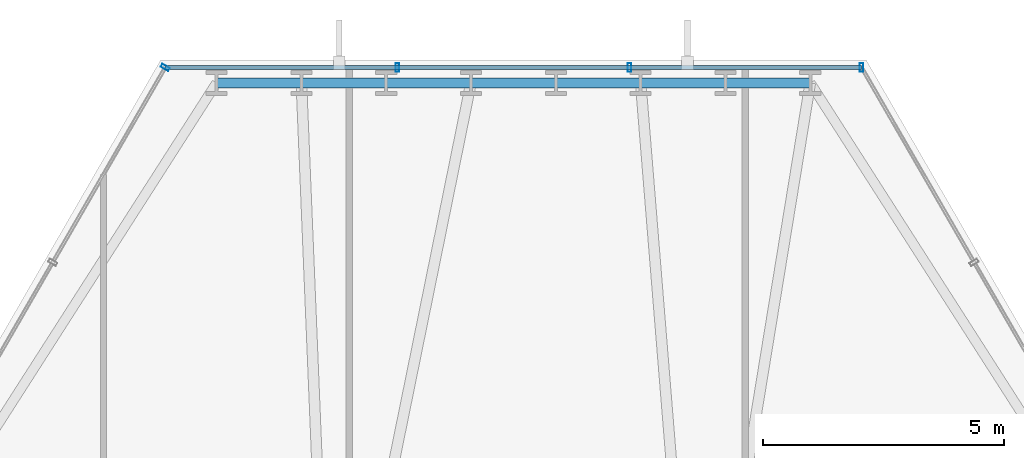
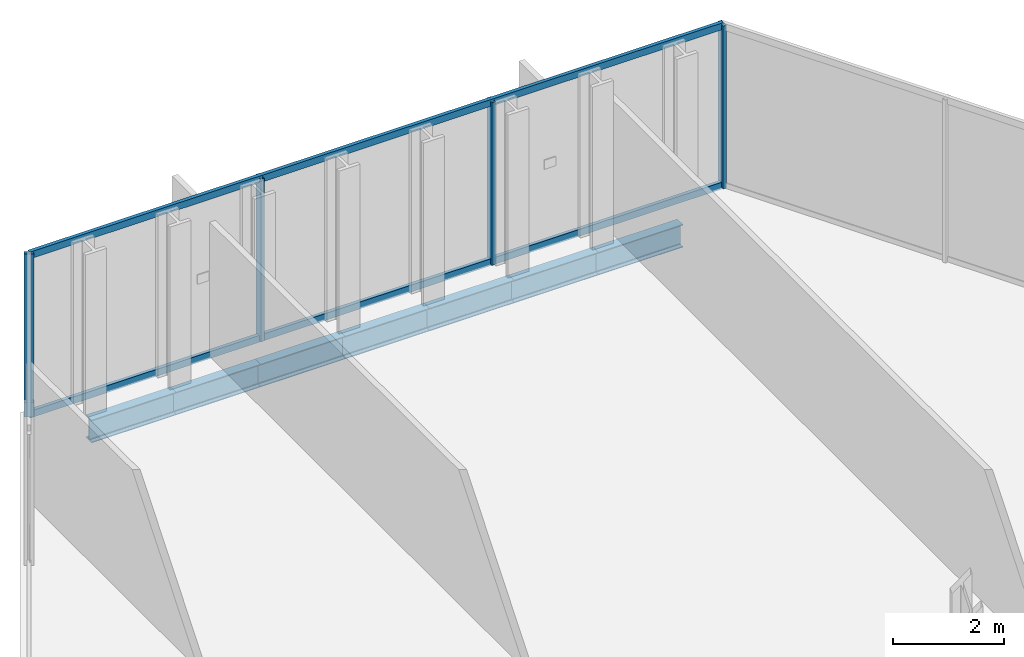
# One storey, part 24 of 33: 7 beams, 6 members, 2 elements without a shape of their own.
"""IFC4 building model written with IfcOpenShell, lengths in metres."""

from ifc_helpers import new_model, si_unit, direction, frame, origin, origin_2d, place, context, subcontext, project, spatial, hollow_rectangle, i_section, extrude, material, layer, layer_set, material_profile, profile_set, type_object, element, aggregate, save


model = new_model("IFC4")

# Units and contexts
model_context = context("Model", 3, precision=1e-05, world=origin(), true_north=direction((0.0, 1.0)))
body_context = subcontext(model_context, "Body", "Model", "MODEL_VIEW")
ifc_project = project(units=[si_unit("LENGTHUNIT", "METRE"), si_unit("AREAUNIT", "SQUARE_METRE"), si_unit("VOLUMEUNIT", "CUBIC_METRE"), si_unit("PLANEANGLEUNIT", "RADIAN"), si_unit("MASSUNIT", "GRAM", prefix="KILO")], contexts=[model_context])

# Site, building, storey
site_placement = place(None, origin())
site = spatial("IfcSite", under=ifc_project, at=site_placement, CompositionType="ELEMENT")
building_placement = place(site_placement, origin())
building = spatial("IfcBuilding", under=site, at=building_placement, Name="Ndaravel Arena Tower", CompositionType="ELEMENT")
storey_placement = place(building_placement, frame((0.0, 0.0, 85.39990234375)))
storey = spatial("IfcBuildingStorey", under=building, at=storey_placement, Name="L19", CompositionType="ELEMENT", Elevation=85.39990234375)

# Beams
ifc_material_1 = material(Name="Steel S355", Category="steel")
ifc_material_profile_1 = material_profile(ifc_material_1, i_section(OverallWidth=0.199951171875, OverallDepth=0.5, WebThickness=0.01025390625, FlangeThickness=0.01611328125, FilletRadius=0.02099609375, at=origin_2d()), Name="IPE 500")
ifc_profile_set_1 = profile_set([ifc_material_profile_1], Name="Steel S355")
beam_type = type_object("IfcBeamType", Name="BM-SPAN-IPE500", PredefinedType="SPANDREL", material=ifc_profile_set_1)
beam_1_placement = place(storey_placement, frame((48.147216796875, 45.575927734375, -0.469970703125), z_axis=(-1.0, 0.0, 0.0), x_axis=(0.0, -1.0, 0.0)))
element("IfcBeam", 1, at=beam_1_placement, inside=storey, type_object=beam_type, Name="L19 Perimeter Spandrel Beam SP-11", PredefinedType="SPANDREL", context=body_context, shape_type="SweptSolid", body=[
    extrude(i_section(OverallWidth=0.199951171875, OverallDepth=0.5, WebThickness=0.01025390625, FlangeThickness=0.01611328125, FilletRadius=0.02099609375, at=origin_2d()), origin(), (0.0, 0.0, 1.0), 1.756591796875),
])
beam_2_placement = place(storey_placement, frame((46.390625, 45.575927734375, -0.469970703125), z_axis=(-1.0, 0.0, 0.0), x_axis=(0.0, -1.0, 0.0)))
element("IfcBeam", 2, at=beam_2_placement, inside=storey, type_object=beam_type, Name="L19 Perimeter Spandrel Beam SP-12", PredefinedType="SPANDREL", context=body_context, shape_type="SweptSolid", body=[
    extrude(i_section(OverallWidth=0.199951171875, OverallDepth=0.5, WebThickness=0.01025390625, FlangeThickness=0.01611328125, FilletRadius=0.02099609375, at=origin_2d()), origin(), (0.0, 0.0, 1.0), 1.756103515625),
])
for number, where, z_axis, x_axis, name in (
    (3, (44.634521484375, 45.575927734375, -0.469970703125), (-1.0, 0.0, 0.0), (0.0, -1.0, 0.0), "L19 Perimeter Spandrel Beam SP-13"),
    (4, (42.878173828125, 45.575927734375, -0.469970703125), (-1.0, 0.0, 0.0), (0.0, -1.0, 0.0), "L19 Perimeter Spandrel Beam SP-14"),
    (5, (41.121826171875, 45.575927734375, -0.469970703125), (-1.0, 0.0, 0.0), (0.0, -1.0, 0.0), "L19 Perimeter Spandrel Beam SP-15"),
):
    element("IfcBeam", number, at=place(storey_placement, frame(where, z_axis=z_axis, x_axis=x_axis)), inside=storey, type_object=beam_type, Name=name, PredefinedType="SPANDREL", context=body_context, shape_type="SweptSolid", body=[
        extrude(i_section(OverallWidth=0.199951171875, OverallDepth=0.5, WebThickness=0.01025390625, FlangeThickness=0.01611328125, FilletRadius=0.02099609375, at=origin_2d()), origin(), (0.0, 0.0, 1.0), 1.75634765625),
    ])
beam_3_placement = place(storey_placement, frame((39.365478515625, 45.575927734375, -0.469970703125), z_axis=(-1.0, 0.0, 0.0), x_axis=(0.0, -1.0, 0.0)))
element("IfcBeam", 6, at=beam_3_placement, inside=storey, type_object=beam_type, Name="L19 Perimeter Spandrel Beam SP-16", PredefinedType="SPANDREL", context=body_context, shape_type="SweptSolid", body=[
    extrude(i_section(OverallWidth=0.199951171875, OverallDepth=0.5, WebThickness=0.01025390625, FlangeThickness=0.01611328125, FilletRadius=0.02099609375, at=origin_2d()), origin(), (0.0, 0.0, 1.0), 1.756103515625),
])
beam_4_placement = place(storey_placement, frame((37.609375, 45.575927734375, -0.469970703125), z_axis=(-1.0, 0.0, 0.0), x_axis=(0.0, -1.0, 0.0)))
element("IfcBeam", 7, at=beam_4_placement, inside=storey, type_object=beam_type, Name="L19 Perimeter Spandrel Beam SP-17", PredefinedType="SPANDREL", context=body_context, shape_type="SweptSolid", body=[
    extrude(i_section(OverallWidth=0.199951171875, OverallDepth=0.5, WebThickness=0.01025390625, FlangeThickness=0.01611328125, FilletRadius=0.02099609375, at=origin_2d()), origin(), (0.0, 0.0, 1.0), 1.756591796875),
])

# Curtain wall, members
ifc_material_2 = material(Name="Aluminium", Category="aluminium")
ifc_layer_1 = layer(ifc_material_2, 0.179931640625)
ifc_layer_set_1 = layer_set([ifc_layer_1], Name="Aluminium")
curtain_wall_type_1 = type_object("IfcCurtainWallType", Name="CW-SYS-01", PredefinedType="NOTDEFINED", material=ifc_layer_set_1)
curtain_wall_1_placement = place(storey_placement, origin())
curtain_wall_1 = element("IfcCurtainWall", 8, at=curtain_wall_1_placement, inside=storey, type_object=curtain_wall_type_1, Name="L19 Faceted Crystal Curtain Wall CW-L19-E04", PredefinedType="NOTDEFINED")
ifc_material_3 = material(Name="Aluminium", Category="aluminium")
ifc_material_profile_2 = material_profile(ifc_material_3, hollow_rectangle(XDim=0.074951171875, YDim=0.179931640625, WallThickness=0.00390625, at=origin_2d()), Name="CW MULLION 75x180x4")
ifc_profile_set_2 = profile_set([ifc_material_profile_2], Name="Aluminium")
member_type_1 = type_object("IfcMemberType", Name="MEM-CW-MUL180", PredefinedType="MULLION", material=ifc_profile_set_2)
member_1_placement = place(storey_placement, frame((49.2099609375, 45.89599609375, 0.0), z_axis=(0.0, 0.0, 1.0), x_axis=(-1.0, 0.0, 0.0)))
member_1 = element("IfcMember", 9, at=member_1_placement, type_object=member_type_1, Name="CW-L19-E04 Mullion 00", PredefinedType="MULLION", context=body_context, shape_type="SweptSolid", body=[
    extrude(hollow_rectangle(XDim=0.074951171875, YDim=0.179931640625, WallThickness=0.00390625, at=origin_2d()), origin(), (0.0, 0.0, 1.0), 3.580078125),
])
member_2_placement = place(storey_placement, frame((44.4033203125, 45.89599609375, 0.0), z_axis=(0.0, 0.0, 1.0), x_axis=(-1.0, 0.0, 0.0)))
member_2 = element("IfcMember", 10, at=member_2_placement, type_object=member_type_1, Name="CW-L19-E04 Mullion 01", PredefinedType="MULLION", context=body_context, shape_type="SweptSolid", body=[
    extrude(hollow_rectangle(XDim=0.074951171875, YDim=0.179931640625, WallThickness=0.00390625, at=origin_2d()), origin(), (0.0, 0.0, 1.0), 3.580078125),
])
member_3_placement = place(storey_placement, frame((39.5966796875, 45.89599609375, 0.0), z_axis=(0.0, 0.0, 1.0), x_axis=(-1.0, 0.0, 0.0)))
member_3 = element("IfcMember", 11, at=member_3_placement, type_object=member_type_1, Name="CW-L19-E04 Mullion 02", PredefinedType="MULLION", context=body_context, shape_type="SweptSolid", body=[
    extrude(hollow_rectangle(XDim=0.074951171875, YDim=0.179931640625, WallThickness=0.00390625, at=origin_2d()), origin(), (0.0, 0.0, 1.0), 3.580078125),
])

# Curtain wall, member
ifc_material_4 = material(Name="Aluminium", Category="aluminium")
ifc_layer_2 = layer(ifc_material_4, 0.179931640625)
ifc_layer_set_2 = layer_set([ifc_layer_2], Name="Aluminium")
curtain_wall_type_2 = type_object("IfcCurtainWallType", Name="CW-SYS-03", PredefinedType="NOTDEFINED", material=ifc_layer_set_2)
curtain_wall_2_placement = place(storey_placement, origin())
curtain_wall_2 = element("IfcCurtainWall", 12, at=curtain_wall_2_placement, inside=storey, type_object=curtain_wall_type_2, Name="L19 Faceted Crystal Curtain Wall CW-L19-E05", PredefinedType="NOTDEFINED")
member_4_placement = place(storey_placement, frame((34.7900390625, 45.89599609375, 0.0), z_axis=(0.0, 0.0, 1.0), x_axis=(-0.5, -0.866025403784, 0.0)))
member_4 = element("IfcMember", 13, at=member_4_placement, type_object=member_type_1, Name="CW-L19-E05 Mullion 00", PredefinedType="MULLION", context=body_context, shape_type="SweptSolid", body=[
    extrude(hollow_rectangle(XDim=0.074951171875, YDim=0.179931640625, WallThickness=0.00390625, at=origin_2d()), origin(), (0.0, 0.0, 1.0), 3.580078125),
])
aggregate(curtain_wall_2, [member_4])

# Member
ifc_material_5 = material(Name="Aluminium", Category="aluminium")
ifc_material_profile_3 = material_profile(ifc_material_5, hollow_rectangle(XDim=0.074951171875, YDim=0.14990234375, WallThickness=0.00390625, at=origin_2d()), Name="CW TRANSOM 75x150x4")
ifc_profile_set_3 = profile_set([ifc_material_profile_3], Name="Aluminium")
member_type_2 = type_object("IfcMemberType", Name="MEM-CW-TRN150", PredefinedType="USERDEFINED", material=ifc_profile_set_3)
member_5_placement = place(storey_placement, frame((49.2099609375, 45.89599609375, 0.0400390625), z_axis=(-1.0, 0.0, 0.0), x_axis=(0.0, -1.0, 0.0)))
member_5 = element("IfcMember", 14, at=member_5_placement, type_object=member_type_2, Name="CW-L19-E04 Transom 01", ObjectType="TRANSOM", PredefinedType="USERDEFINED", context=body_context, shape_type="SweptSolid", body=[
    extrude(hollow_rectangle(XDim=0.074951171875, YDim=0.14990234375, WallThickness=0.00390625, at=origin_2d()), origin(), (0.0, 0.0, 1.0), 14.419921875),
])

member_6_placement = place(storey_placement, frame((49.2099609375, 45.89599609375, 3.5400390625), z_axis=(-1.0, 0.0, 0.0), x_axis=(0.0, -1.0, 0.0)))
member_6 = element("IfcMember", 15, at=member_6_placement, type_object=member_type_2, Name="CW-L19-E04 Transom 02", ObjectType="TRANSOM", PredefinedType="USERDEFINED", context=body_context, shape_type="SweptSolid", body=[
    extrude(hollow_rectangle(XDim=0.074951171875, YDim=0.14990234375, WallThickness=0.00390625, at=origin_2d()), origin(), (0.0, 0.0, 1.0), 14.419921875),
])

aggregate(curtain_wall_1, [member_1, member_2, member_3, member_5, member_6])

save(model, "model.ifc")
